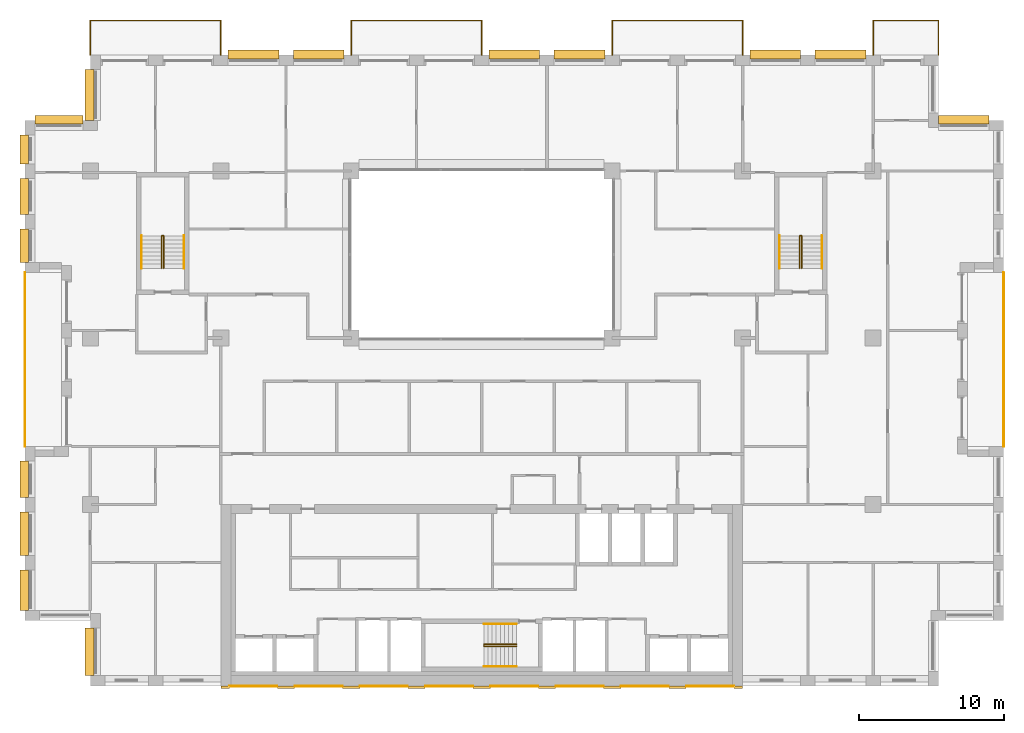
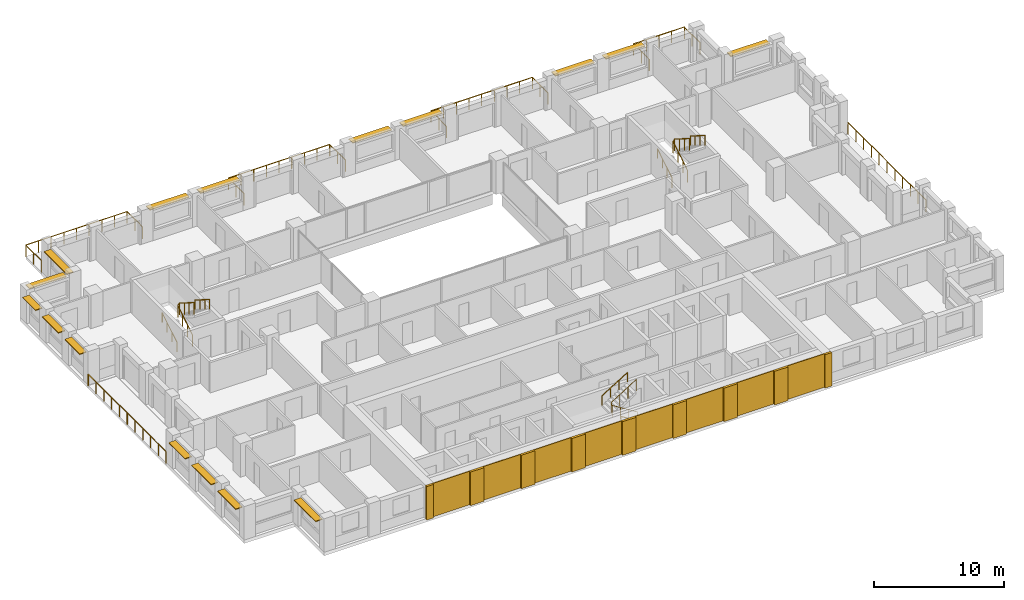
# One storey, part 15 of 15: 17 coverings, 16 shading devices, 15 railings.
"""IFC4 building model written with IfcOpenShell, lengths in metres."""

import ifcopenshell
import ifcopenshell.guid

model = None  # the IFC model being written
_history = None  # IfcOwnerHistory: only IFC2X3 demands one
_inside = {}  # id of a spatial element -> (the spatial element, [elements in it])
_under = {}  # id of a project, library or spatial element -> (it, [spatial elements below it])
_declared = {}  # id of a project -> (the project, [libraries it declares])
_typed = {}  # id of a type object -> (the type object, [elements of that type])
_made_of = {}  # id of a material, layer set ... -> (it, [elements and type objects made of it])


def new_model(schema):
    """Start an empty IFC model of exactly this schema.

    Asked for "IFC4X3", IfcOpenShell would pick the latest addendum, in which some entities
    have other attributes; the version numbers below select the first issue.
    IFC2X3 requires an IfcOwnerHistory on every rooted entity: one is made here for all.
    """
    global model, _history
    if schema == "IFC4X3":
        model = ifcopenshell.file(schema_version=(4, 3, 0, 0))
    else:
        model = ifcopenshell.file(schema=schema)
    _inside.clear()
    _under.clear()
    _declared.clear()
    _typed.clear()
    _made_of.clear()
    _history = None
    if model.schema == "IFC2X3":
        org = make("IfcOrganization", Name="unknown")
        user = make(
            "IfcPersonAndOrganization",
            ThePerson=make("IfcPerson", FamilyName="unknown"),
            TheOrganization=org,
        )
        app = make(
            "IfcApplication",
            ApplicationDeveloper=org,
            Version="unknown",
            ApplicationFullName="unknown",
            ApplicationIdentifier="unknown",
        )
        _history = make(
            "IfcOwnerHistory",
            OwningUser=user,
            OwningApplication=app,
            ChangeAction="ADDED",
            CreationDate=0,
        )
    return model


def make(cls, **values):
    """One entity of the class cls with the attributes given. An attribute that is None is left unset."""
    return model.create_entity(
        cls, **{name: value for name, value in values.items() if value is not None}
    )


def rooted(cls, **values):
    """An entity with a GlobalId (a new one), such as an element, a storey or a relation."""
    return make(cls, GlobalId=ifcopenshell.guid.new(), OwnerHistory=_history, **values)


def si_unit(unit_type, name, prefix=None):
    """IfcSIUnit, for example si_unit("LENGTHUNIT", "METRE", prefix="MILLI")."""
    return make("IfcSIUnit", UnitType=unit_type, Prefix=prefix, Name=name)


def assignment(units):
    """IfcUnitAssignment: the units of a project."""
    return None if units is None else make("IfcUnitAssignment", Units=units)


def point(xyz):
    """IfcCartesianPoint."""
    return None if xyz is None else make("IfcCartesianPoint", Coordinates=xyz)


def direction(xyz):
    """IfcDirection."""
    return None if xyz is None else make("IfcDirection", DirectionRatios=xyz)


def frame(location, z_axis=None, x_axis=None):
    """IfcAxis2Placement3D, a coordinate frame: its origin and axes. An axis left out is left unset."""
    return make(
        "IfcAxis2Placement3D",
        Location=point(location),
        Axis=direction(z_axis),
        RefDirection=direction(x_axis),
    )


def frame_2d(location, x_axis=None):
    """IfcAxis2Placement2D, a coordinate frame in the plane: its origin and x axis."""
    return make(
        "IfcAxis2Placement2D", Location=point(location), RefDirection=direction(x_axis)
    )


def origin():
    """The frame at (0, 0, 0) with its axes left unset."""
    return frame((0.0, 0.0, 0.0))


def origin_2d():
    """The frame at (0, 0) in the plane with its x axis left unset."""
    return frame_2d((0.0, 0.0))


def place(relative_to, where):
    """IfcLocalPlacement: puts the frame where relative to a parent placement (None: the world)."""
    return make(
        "IfcLocalPlacement", PlacementRelTo=relative_to, RelativePlacement=where
    )


def context(
    kind, dimensions, precision=None, world=None, true_north=None, identifier=None
):
    """IfcGeometricRepresentationContext, for example the 3D "Model" context."""
    return make(
        "IfcGeometricRepresentationContext",
        ContextIdentifier=identifier,
        ContextType=kind,
        CoordinateSpaceDimension=dimensions,
        Precision=precision,
        WorldCoordinateSystem=world,
        TrueNorth=true_north,
    )


def subcontext(parent, identifier, kind, view, scale=None):
    """IfcGeometricRepresentationSubContext, for example "Body" below "Model"."""
    return make(
        "IfcGeometricRepresentationSubContext",
        ContextIdentifier=identifier,
        ContextType=kind,
        ParentContext=parent,
        TargetScale=scale,
        TargetView=view,
    )


def project(units=None, contexts=None):
    """IfcProject with its units and contexts."""
    return rooted(
        "IfcProject",
        Name="project",
        RepresentationContexts=contexts,
        UnitsInContext=assignment(units),
    )


def spatial(cls, under=None, at=None, **own):
    """A site, building, storey or space (cls), placed at a placement, below another one or the project."""
    s = rooted(cls, ObjectPlacement=at, **own)
    if under is not None:
        _under.setdefault(under.id(), (under, []))[1].append(s)
    return s


def profile(cls, at=None, kind="AREA", **sizes):
    """A parametric profile (cls). Its sizes go by their IFC names, for example OverallWidth=200.0."""
    return make(cls, ProfileType=kind, Position=at, **sizes)


def rectangle(**sizes):
    """IfcRectangleProfileDef."""
    return profile("IfcRectangleProfileDef", **sizes)


def circle(**sizes):
    """IfcCircleProfileDef."""
    return profile("IfcCircleProfileDef", **sizes)


def extrude(swept, where, along, depth):
    """IfcExtrudedAreaSolid: the profile swept, set in the frame where, extruded along a direction by depth."""
    return make(
        "IfcExtrudedAreaSolid",
        SweptArea=swept,
        Position=where,
        ExtrudedDirection=direction(along),
        Depth=depth,
    )


def shape(context_of_items, identifier, shape_type, items):
    """IfcShapeRepresentation: the items that make up one representation, for example the "Body"."""
    return make(
        "IfcShapeRepresentation",
        ContextOfItems=context_of_items,
        RepresentationIdentifier=identifier,
        RepresentationType=shape_type,
        Items=items,
    )


def material(Name=None, Category=None):
    """IfcMaterial."""
    return make("IfcMaterial", Name=Name, Category=Category)


def layer(
    of_material, thickness, ventilated=None, Name=None, Category=None, Priority=None
):
    """IfcMaterialLayer: one layer of a wall or slab, of a material (None: an air gap)."""
    return make(
        "IfcMaterialLayer",
        Material=of_material,
        LayerThickness=thickness,
        IsVentilated=ventilated,
        Name=Name,
        Category=Category,
        Priority=Priority,
    )


def layer_set(layers, Name=None):
    """IfcMaterialLayerSet."""
    return make("IfcMaterialLayerSet", MaterialLayers=layers, LayerSetName=Name)


def made_of(thing, what):
    """Note that an element or type object is made of a material, layer set ...; save() writes the relation."""
    if what is not None:
        _made_of.setdefault(what.id(), (what, []))[1].append(thing)
    return thing


def type_object(cls, material=None, **own):
    """A type object (cls), such as IfcWallType, which elements share."""
    return made_of(rooted(cls, **own), material)


def element(
    cls,
    number,
    at=None,
    inside=None,
    cuts=None,
    type_object=None,
    material=None,
    context=None,
    identifier="Body",
    shape_type=None,
    held_by="IfcProductDefinitionShape",
    body=None,
    shapes=None,
    **own,
):
    """One element of the class cls, such as IfcWall. Its Tag is "e" and its number.

    at: its placement. inside: the storey or other place that contains it. cuts: it is an
    opening in that element (IfcRelVoidsElement). A single representation is given by context,
    identifier, shape_type and body (its items); several are given by shapes. held_by: the class
    of the entity that holds the representations. save() writes the other relations.
    """
    e = rooted(cls, Tag="e%d" % number, ObjectPlacement=at, **own)
    if body is not None:
        shapes = [shape(context, identifier, shape_type, body)]
    if shapes is not None:
        e.Representation = make(held_by, Representations=shapes)
    if inside is not None:
        _inside.setdefault(inside.id(), (inside, []))[1].append(e)
    if cuts is not None:
        rooted(
            "IfcRelVoidsElement", RelatingBuildingElement=cuts, RelatedOpeningElement=e
        )
    if type_object is not None:
        _typed.setdefault(type_object.id(), (type_object, []))[1].append(e)
    return made_of(e, material)


def aggregate(whole, parts):
    """IfcRelAggregates: a whole, such as a stair, and the parts it consists of."""
    return rooted("IfcRelAggregates", RelatingObject=whole, RelatedObjects=parts)


def save(model, path):
    """Write the relations noted so far, then the file.

    IfcRelAggregates (storeys below a building ...), IfcRelContainedInSpatialStructure (elements
    in a storey), IfcRelDefinesByType, IfcRelAssociatesMaterial and IfcRelDeclares: one each for
    every whole, place, type object, material and project.
    """
    for whole, parts in _under.values():
        aggregate(whole, parts)
    for where, things in _inside.values():
        rooted(
            "IfcRelContainedInSpatialStructure",
            RelatedElements=things,
            RelatingStructure=where,
        )
    for kind, things in _typed.values():
        rooted("IfcRelDefinesByType", RelatedObjects=things, RelatingType=kind)
    for what, things in _made_of.values():
        rooted("IfcRelAssociatesMaterial", RelatedObjects=things, RelatingMaterial=what)
    for by, libraries in _declared.values():
        rooted("IfcRelDeclares", RelatingContext=by, RelatedDefinitions=libraries)
    model.write(path)


model = new_model("IFC4")

# Units and contexts
model_context = context("Model", 3, precision=1e-05, world=origin(), true_north=direction((0.0, 1.0)))
body_context = subcontext(model_context, "Body", "Model", "MODEL_VIEW")
ifc_project = project(units=[si_unit("LENGTHUNIT", "METRE"), si_unit("AREAUNIT", "SQUARE_METRE"), si_unit("VOLUMEUNIT", "CUBIC_METRE"), si_unit("PLANEANGLEUNIT", "RADIAN"), si_unit("MASSUNIT", "GRAM", prefix="KILO")], contexts=[model_context])

# Site, building, storey
site_placement = place(None, origin())
site = spatial("IfcSite", under=ifc_project, at=site_placement, CompositionType="ELEMENT")
building_placement = place(site_placement, origin())
building = spatial("IfcBuilding", under=site, at=building_placement, Name="Brigalow Station Residences", CompositionType="ELEMENT")
storey_placement = place(building_placement, frame((0.0, 0.0, 157.050048828125)))
storey = spatial("IfcBuildingStorey", under=building, at=storey_placement, Name="L45", CompositionType="ELEMENT", Elevation=157.050048828125)

# Railings
ifc_material_1 = material(Name="Stainless steel balustrade with laminated glass infill", Category="steel")
railing_type_1 = type_object("IfcRailingType", Name="BALCONY GUARD 1100", PredefinedType="GUARDRAIL", material=ifc_material_1)
railing_1_placement = place(storey_placement, frame((72.0, 16.5, -0.0400390625)))
element("IfcRailing", 1, at=railing_1_placement, inside=storey, type_object=railing_type_1, Name="L45/balcony-guard/1", PredefinedType="GUARDRAIL", context=body_context, shape_type="SweptSolid", body=[
    extrude(circle(Radius=0.02392578125, at=origin_2d()), frame((0.0, 0.0, 1.076171875), z_axis=(0.0, 1.0, 0.0), x_axis=(-1.0, 0.0, 0.0)), (0.0, 0.0, 1.0), 12.0),
    extrude(circle(Radius=0.02099609375, at=origin_2d()), origin(), (0.0, 0.0, 1.0), 1.052001953125),
    extrude(circle(Radius=0.02099609375, at=origin_2d()), frame((0.0, 1.199951171875, 0.0)), (0.0, 0.0, 1.0), 1.052001953125),
    extrude(circle(Radius=0.02099609375, at=origin_2d()), frame((0.0, 2.39990234375, 0.0)), (0.0, 0.0, 1.0), 1.052001953125),
    extrude(circle(Radius=0.02099609375, at=origin_2d()), frame((0.0, 3.60009765625, 0.0)), (0.0, 0.0, 1.0), 1.052001953125),
    extrude(circle(Radius=0.02099609375, at=origin_2d()), frame((0.0, 4.800048828125, 0.0)), (0.0, 0.0, 1.0), 1.052001953125),
    extrude(circle(Radius=0.02099609375, at=origin_2d()), frame((0.0, 6.0, 0.0)), (0.0, 0.0, 1.0), 1.052001953125),
    extrude(circle(Radius=0.02099609375, at=origin_2d()), frame((0.0, 7.199951171875, 0.0)), (0.0, 0.0, 1.0), 1.052001953125),
    extrude(circle(Radius=0.02099609375, at=origin_2d()), frame((0.0, 8.39990234375, 0.0)), (0.0, 0.0, 1.0), 1.052001953125),
    extrude(circle(Radius=0.02099609375, at=origin_2d()), frame((0.0, 9.60009765625, 0.0)), (0.0, 0.0, 1.0), 1.052001953125),
    extrude(circle(Radius=0.02099609375, at=origin_2d()), frame((0.0, 10.800048828125, 0.0)), (0.0, 0.0, 1.0), 1.052001953125),
    extrude(circle(Radius=0.02099609375, at=origin_2d()), frame((0.0, 12.0, 0.0)), (0.0, 0.0, 1.0), 1.052001953125),
])
railing_2_placement = place(storey_placement, frame((67.5, 43.5, -0.0400390625)))
element("IfcRailing", 2, at=railing_2_placement, inside=storey, type_object=railing_type_1, Name="L45/balcony-guard/2", PredefinedType="GUARDRAIL", context=body_context, shape_type="SweptSolid", body=[
    extrude(circle(Radius=0.02392578125, at=origin_2d()), frame((0.0, 0.0, 1.076171875), z_axis=(0.0, 1.0, 0.0), x_axis=(-1.0, 0.0, 0.0)), (0.0, 0.0, 1.0), 2.39990234375),
    extrude(circle(Radius=0.02392578125, at=origin_2d()), frame((0.0, 2.39990234375, 1.076171875), z_axis=(-1.0, 0.0, 0.0), x_axis=(0.0, -1.0, 0.0)), (0.0, 0.0, 1.0), 4.5),
    extrude(circle(Radius=0.02392578125, at=origin_2d()), frame((-4.5, 2.39990234375, 1.076171875), z_axis=(0.0, -1.0, 0.0), x_axis=(1.0, 0.0, 0.0)), (0.0, 0.0, 1.0), 2.39990234375),
    extrude(circle(Radius=0.02099609375, at=origin_2d()), origin(), (0.0, 0.0, 1.0), 1.052001953125),
    extrude(circle(Radius=0.02099609375, at=origin_2d()), frame((0.0, 1.199951171875, 0.0)), (0.0, 0.0, 1.0), 1.052001953125),
    extrude(circle(Radius=0.02099609375, at=origin_2d()), frame((0.0, 2.39990234375, 0.0)), (0.0, 0.0, 1.0), 1.052001953125),
    extrude(circle(Radius=0.02099609375, at=origin_2d()), frame((-1.125, 2.39990234375, 0.0)), (0.0, 0.0, 1.0), 1.052001953125),
    extrude(circle(Radius=0.02099609375, at=origin_2d()), frame((-2.25, 2.39990234375, 0.0)), (0.0, 0.0, 1.0), 1.052001953125),
    extrude(circle(Radius=0.02099609375, at=origin_2d()), frame((-3.375, 2.39990234375, 0.0)), (0.0, 0.0, 1.0), 1.052001953125),
    extrude(circle(Radius=0.02099609375, at=origin_2d()), frame((-4.5, 2.39990234375, 0.0)), (0.0, 0.0, 1.0), 1.052001953125),
    extrude(circle(Radius=0.02099609375, at=origin_2d()), frame((-4.5, 1.199951171875, 0.0)), (0.0, 0.0, 1.0), 1.052001953125),
    extrude(circle(Radius=0.02099609375, at=origin_2d()), frame((-4.5, 0.0, 0.0)), (0.0, 0.0, 1.0), 1.052001953125),
])
railing_3_placement = place(storey_placement, frame((54.0, 43.5, -0.0400390625)))
element("IfcRailing", 3, at=railing_3_placement, inside=storey, type_object=railing_type_1, Name="L45/balcony-guard/3", PredefinedType="GUARDRAIL", context=body_context, shape_type="SweptSolid", body=[
    extrude(circle(Radius=0.02392578125, at=origin_2d()), frame((0.0, 0.0, 1.076171875), z_axis=(0.0, 1.0, 0.0), x_axis=(-1.0, 0.0, 0.0)), (0.0, 0.0, 1.0), 2.39990234375),
    extrude(circle(Radius=0.02392578125, at=origin_2d()), frame((0.0, 2.39990234375, 1.076171875), z_axis=(-1.0, 0.0, 0.0), x_axis=(0.0, -1.0, 0.0)), (0.0, 0.0, 1.0), 9.0),
    extrude(circle(Radius=0.02392578125, at=origin_2d()), frame((-9.0, 2.39990234375, 1.076171875), z_axis=(0.0, -1.0, 0.0), x_axis=(1.0, 0.0, 0.0)), (0.0, 0.0, 1.0), 2.39990234375),
    extrude(circle(Radius=0.02099609375, at=origin_2d()), origin(), (0.0, 0.0, 1.0), 1.052001953125),
    extrude(circle(Radius=0.02099609375, at=origin_2d()), frame((0.0, 1.199951171875, 0.0)), (0.0, 0.0, 1.0), 1.052001953125),
    extrude(circle(Radius=0.02099609375, at=origin_2d()), frame((0.0, 2.39990234375, 0.0)), (0.0, 0.0, 1.0), 1.052001953125),
    extrude(circle(Radius=0.02099609375, at=origin_2d()), frame((-1.125, 2.39990234375, 0.0)), (0.0, 0.0, 1.0), 1.052001953125),
    extrude(circle(Radius=0.02099609375, at=origin_2d()), frame((-2.25, 2.39990234375, 0.0)), (0.0, 0.0, 1.0), 1.052001953125),
    extrude(circle(Radius=0.02099609375, at=origin_2d()), frame((-3.375, 2.39990234375, 0.0)), (0.0, 0.0, 1.0), 1.052001953125),
    extrude(circle(Radius=0.02099609375, at=origin_2d()), frame((-4.5, 2.39990234375, 0.0)), (0.0, 0.0, 1.0), 1.052001953125),
    extrude(circle(Radius=0.02099609375, at=origin_2d()), frame((-5.625, 2.39990234375, 0.0)), (0.0, 0.0, 1.0), 1.052001953125),
    extrude(circle(Radius=0.02099609375, at=origin_2d()), frame((-6.75, 2.39990234375, 0.0)), (0.0, 0.0, 1.0), 1.052001953125),
    extrude(circle(Radius=0.02099609375, at=origin_2d()), frame((-7.875, 2.39990234375, 0.0)), (0.0, 0.0, 1.0), 1.052001953125),
    extrude(circle(Radius=0.02099609375, at=origin_2d()), frame((-9.0, 2.39990234375, 0.0)), (0.0, 0.0, 1.0), 1.052001953125),
    extrude(circle(Radius=0.02099609375, at=origin_2d()), frame((-9.0, 1.199951171875, 0.0)), (0.0, 0.0, 1.0), 1.052001953125),
    extrude(circle(Radius=0.02099609375, at=origin_2d()), frame((-9.0, 0.0, 0.0)), (0.0, 0.0, 1.0), 1.052001953125),
])
railing_4_placement = place(storey_placement, frame((36.0, 43.5, -0.0400390625)))
element("IfcRailing", 4, at=railing_4_placement, inside=storey, type_object=railing_type_1, Name="L45/balcony-guard/4", PredefinedType="GUARDRAIL", context=body_context, shape_type="SweptSolid", body=[
    extrude(circle(Radius=0.02392578125, at=origin_2d()), frame((0.0, 0.0, 1.076171875), z_axis=(0.0, 1.0, 0.0), x_axis=(-1.0, 0.0, 0.0)), (0.0, 0.0, 1.0), 2.39990234375),
    extrude(circle(Radius=0.02392578125, at=origin_2d()), frame((0.0, 2.39990234375, 1.076171875), z_axis=(-1.0, 0.0, 0.0), x_axis=(0.0, -1.0, 0.0)), (0.0, 0.0, 1.0), 9.0),
    extrude(circle(Radius=0.02392578125, at=origin_2d()), frame((-9.0, 2.39990234375, 1.076171875), z_axis=(0.0, -1.0, 0.0), x_axis=(1.0, 0.0, 0.0)), (0.0, 0.0, 1.0), 2.39990234375),
    extrude(circle(Radius=0.02099609375, at=origin_2d()), origin(), (0.0, 0.0, 1.0), 1.052001953125),
    extrude(circle(Radius=0.02099609375, at=origin_2d()), frame((0.0, 1.199951171875, 0.0)), (0.0, 0.0, 1.0), 1.052001953125),
    extrude(circle(Radius=0.02099609375, at=origin_2d()), frame((0.0, 2.39990234375, 0.0)), (0.0, 0.0, 1.0), 1.052001953125),
    extrude(circle(Radius=0.02099609375, at=origin_2d()), frame((-1.125, 2.39990234375, 0.0)), (0.0, 0.0, 1.0), 1.052001953125),
    extrude(circle(Radius=0.02099609375, at=origin_2d()), frame((-2.25, 2.39990234375, 0.0)), (0.0, 0.0, 1.0), 1.052001953125),
    extrude(circle(Radius=0.02099609375, at=origin_2d()), frame((-3.375, 2.39990234375, 0.0)), (0.0, 0.0, 1.0), 1.052001953125),
    extrude(circle(Radius=0.02099609375, at=origin_2d()), frame((-4.5, 2.39990234375, 0.0)), (0.0, 0.0, 1.0), 1.052001953125),
    extrude(circle(Radius=0.02099609375, at=origin_2d()), frame((-5.625, 2.39990234375, 0.0)), (0.0, 0.0, 1.0), 1.052001953125),
    extrude(circle(Radius=0.02099609375, at=origin_2d()), frame((-6.75, 2.39990234375, 0.0)), (0.0, 0.0, 1.0), 1.052001953125),
    extrude(circle(Radius=0.02099609375, at=origin_2d()), frame((-7.875, 2.39990234375, 0.0)), (0.0, 0.0, 1.0), 1.052001953125),
    extrude(circle(Radius=0.02099609375, at=origin_2d()), frame((-9.0, 2.39990234375, 0.0)), (0.0, 0.0, 1.0), 1.052001953125),
    extrude(circle(Radius=0.02099609375, at=origin_2d()), frame((-9.0, 1.199951171875, 0.0)), (0.0, 0.0, 1.0), 1.052001953125),
    extrude(circle(Radius=0.02099609375, at=origin_2d()), frame((-9.0, 0.0, 0.0)), (0.0, 0.0, 1.0), 1.052001953125),
])
railing_5_placement = place(storey_placement, frame((18.0, 43.5, -0.0400390625)))
element("IfcRailing", 5, at=railing_5_placement, inside=storey, type_object=railing_type_1, Name="L45/balcony-guard/5", PredefinedType="GUARDRAIL", context=body_context, shape_type="SweptSolid", body=[
    extrude(circle(Radius=0.02392578125, at=origin_2d()), frame((0.0, 0.0, 1.076171875), z_axis=(0.0, 1.0, 0.0), x_axis=(-1.0, 0.0, 0.0)), (0.0, 0.0, 1.0), 2.39990234375),
    extrude(circle(Radius=0.02392578125, at=origin_2d()), frame((0.0, 2.39990234375, 1.076171875), z_axis=(-1.0, 0.0, 0.0), x_axis=(0.0, -1.0, 0.0)), (0.0, 0.0, 1.0), 9.0),
    extrude(circle(Radius=0.02392578125, at=origin_2d()), frame((-9.0, 2.39990234375, 1.076171875), z_axis=(0.0, -1.0, 0.0), x_axis=(1.0, 0.0, 0.0)), (0.0, 0.0, 1.0), 2.39990234375),
    extrude(circle(Radius=0.02099609375, at=origin_2d()), origin(), (0.0, 0.0, 1.0), 1.052001953125),
    extrude(circle(Radius=0.02099609375, at=origin_2d()), frame((0.0, 1.199951171875, 0.0)), (0.0, 0.0, 1.0), 1.052001953125),
    extrude(circle(Radius=0.02099609375, at=origin_2d()), frame((0.0, 2.39990234375, 0.0)), (0.0, 0.0, 1.0), 1.052001953125),
    extrude(circle(Radius=0.02099609375, at=origin_2d()), frame((-1.125, 2.39990234375, 0.0)), (0.0, 0.0, 1.0), 1.052001953125),
    extrude(circle(Radius=0.02099609375, at=origin_2d()), frame((-2.25, 2.39990234375, 0.0)), (0.0, 0.0, 1.0), 1.052001953125),
    extrude(circle(Radius=0.02099609375, at=origin_2d()), frame((-3.375, 2.39990234375, 0.0)), (0.0, 0.0, 1.0), 1.052001953125),
    extrude(circle(Radius=0.02099609375, at=origin_2d()), frame((-4.5, 2.39990234375, 0.0)), (0.0, 0.0, 1.0), 1.052001953125),
    extrude(circle(Radius=0.02099609375, at=origin_2d()), frame((-5.625, 2.39990234375, 0.0)), (0.0, 0.0, 1.0), 1.052001953125),
    extrude(circle(Radius=0.02099609375, at=origin_2d()), frame((-6.75, 2.39990234375, 0.0)), (0.0, 0.0, 1.0), 1.052001953125),
    extrude(circle(Radius=0.02099609375, at=origin_2d()), frame((-7.875, 2.39990234375, 0.0)), (0.0, 0.0, 1.0), 1.052001953125),
    extrude(circle(Radius=0.02099609375, at=origin_2d()), frame((-9.0, 2.39990234375, 0.0)), (0.0, 0.0, 1.0), 1.052001953125),
    extrude(circle(Radius=0.02099609375, at=origin_2d()), frame((-9.0, 1.199951171875, 0.0)), (0.0, 0.0, 1.0), 1.052001953125),
    extrude(circle(Radius=0.02099609375, at=origin_2d()), frame((-9.0, 0.0, 0.0)), (0.0, 0.0, 1.0), 1.052001953125),
])
railing_6_placement = place(storey_placement, frame((4.5, 28.5, -0.0400390625)))
element("IfcRailing", 6, at=railing_6_placement, inside=storey, type_object=railing_type_1, Name="L45/balcony-guard/6", PredefinedType="GUARDRAIL", context=body_context, shape_type="SweptSolid", body=[
    extrude(circle(Radius=0.02392578125, at=origin_2d()), frame((0.0, 0.0, 1.076171875), z_axis=(0.0, -1.0, 0.0), x_axis=(1.0, 0.0, 0.0)), (0.0, 0.0, 1.0), 12.0),
    extrude(circle(Radius=0.02099609375, at=origin_2d()), origin(), (0.0, 0.0, 1.0), 1.052001953125),
    extrude(circle(Radius=0.02099609375, at=origin_2d()), frame((0.0, -1.199951171875, 0.0)), (0.0, 0.0, 1.0), 1.052001953125),
    extrude(circle(Radius=0.02099609375, at=origin_2d()), frame((0.0, -2.39990234375, 0.0)), (0.0, 0.0, 1.0), 1.052001953125),
    extrude(circle(Radius=0.02099609375, at=origin_2d()), frame((0.0, -3.60009765625, 0.0)), (0.0, 0.0, 1.0), 1.052001953125),
    extrude(circle(Radius=0.02099609375, at=origin_2d()), frame((0.0, -4.800048828125, 0.0)), (0.0, 0.0, 1.0), 1.052001953125),
    extrude(circle(Radius=0.02099609375, at=origin_2d()), frame((0.0, -6.0, 0.0)), (0.0, 0.0, 1.0), 1.052001953125),
    extrude(circle(Radius=0.02099609375, at=origin_2d()), frame((0.0, -7.199951171875, 0.0)), (0.0, 0.0, 1.0), 1.052001953125),
    extrude(circle(Radius=0.02099609375, at=origin_2d()), frame((0.0, -8.39990234375, 0.0)), (0.0, 0.0, 1.0), 1.052001953125),
    extrude(circle(Radius=0.02099609375, at=origin_2d()), frame((0.0, -9.60009765625, 0.0)), (0.0, 0.0, 1.0), 1.052001953125),
    extrude(circle(Radius=0.02099609375, at=origin_2d()), frame((0.0, -10.800048828125, 0.0)), (0.0, 0.0, 1.0), 1.052001953125),
    extrude(circle(Radius=0.02099609375, at=origin_2d()), frame((0.0, -12.0, 0.0)), (0.0, 0.0, 1.0), 1.052001953125),
])

# Coverings
ifc_material_2 = material(Name="Clay brick masonry", Category="masonry")
ifc_layer_1 = layer(ifc_material_2, 0.06005859375)
ifc_layer_set_1 = layer_set([ifc_layer_1], Name="BRICK PANEL FACING 60")
covering_type_1 = type_object("IfcCoveringType", Name="BRICK PANEL FACING 60", PredefinedType="CLADDING", material=ifc_layer_set_1)
for number, where, z_axis, x_axis, name in (
    (7, (20.25, -0.030029296875, 0.0), (0.0, 0.0, 1.0), (1.0, 0.0, 0.0), "L45/rear-facing/panel-1"),
    (8, (24.75, -0.030029296875, 0.0), (0.0, 0.0, 1.0), (1.0, 0.0, 0.0), "L45/rear-facing/panel-2"),
    (9, (29.25, -0.030029296875, 0.0), (0.0, 0.0, 1.0), (1.0, 0.0, 0.0), "L45/rear-facing/panel-3"),
    (10, (33.75, -0.030029296875, 0.0), (0.0, 0.0, 1.0), (1.0, 0.0, 0.0), "L45/rear-facing/panel-4"),
    (11, (38.25, -0.030029296875, 0.0), (0.0, 0.0, 1.0), (1.0, 0.0, 0.0), "L45/rear-facing/panel-5"),
    (12, (42.75, -0.030029296875, 0.0), (0.0, 0.0, 1.0), (1.0, 0.0, 0.0), "L45/rear-facing/panel-6"),
    (13, (47.25, -0.030029296875, 0.0), (0.0, 0.0, 1.0), (1.0, 0.0, 0.0), "L45/rear-facing/panel-7"),
    (14, (51.75, -0.030029296875, 0.0), (0.0, 0.0, 1.0), (1.0, 0.0, 0.0), "L45/rear-facing/panel-8"),
):
    element("IfcCovering", number, at=place(storey_placement, frame(where, z_axis=z_axis, x_axis=x_axis)), inside=storey, type_object=covering_type_1, Name=name, PredefinedType="CLADDING", context=body_context, shape_type="SweptSolid", body=[
        extrude(rectangle(XDim=3.300048828125, YDim=0.06005859375, at=origin_2d()), origin(), (0.0, 0.0, 1.0), 3.14990234375),
    ])
ifc_material_3 = material(Name="Clay brick masonry", Category="masonry")
ifc_layer_2 = layer(ifc_material_3, 0.199951171875)
ifc_layer_set_2 = layer_set([ifc_layer_2], Name="BRICK PIER FACING 200")
covering_type_2 = type_object("IfcCoveringType", Name="BRICK PIER FACING 200", PredefinedType="CLADDING", material=ifc_layer_set_2)
covering_1_placement = place(storey_placement, frame((18.300048828125, -0.10009765625, 0.0), z_axis=(0.0, 0.0, 1.0), x_axis=(1.0, 0.0, 0.0)))
element("IfcCovering", 15, at=covering_1_placement, inside=storey, type_object=covering_type_2, Name="L45/rear-facing/pier-1", PredefinedType="CLADDING", context=body_context, shape_type="SweptSolid", body=[
    extrude(rectangle(XDim=0.60009765625, YDim=0.199951171875, at=origin_2d()), origin(), (0.0, 0.0, 1.0), 3.14990234375),
])
for number, where, z_axis, x_axis, name in (
    (16, (22.5, -0.10009765625, 0.0), (0.0, 0.0, 1.0), (1.0, 0.0, 0.0), "L45/rear-facing/pier-2"),
    (17, (27.0, -0.10009765625, 0.0), (0.0, 0.0, 1.0), (1.0, 0.0, 0.0), "L45/rear-facing/pier-3"),
    (18, (31.5, -0.10009765625, 0.0), (0.0, 0.0, 1.0), (1.0, 0.0, 0.0), "L45/rear-facing/pier-4"),
    (19, (36.0, -0.10009765625, 0.0), (0.0, 0.0, 1.0), (1.0, 0.0, 0.0), "L45/rear-facing/pier-5"),
    (20, (40.5, -0.10009765625, 0.0), (0.0, 0.0, 1.0), (1.0, 0.0, 0.0), "L45/rear-facing/pier-6"),
    (21, (45.0, -0.10009765625, 0.0), (0.0, 0.0, 1.0), (1.0, 0.0, 0.0), "L45/rear-facing/pier-7"),
    (22, (49.5, -0.10009765625, 0.0), (0.0, 0.0, 1.0), (1.0, 0.0, 0.0), "L45/rear-facing/pier-8"),
):
    element("IfcCovering", number, at=place(storey_placement, frame(where, z_axis=z_axis, x_axis=x_axis)), inside=storey, type_object=covering_type_2, Name=name, PredefinedType="CLADDING", context=body_context, shape_type="SweptSolid", body=[
        extrude(rectangle(XDim=1.199951171875, YDim=0.199951171875, at=origin_2d()), origin(), (0.0, 0.0, 1.0), 3.14990234375),
    ])
covering_2_placement = place(storey_placement, frame((53.699951171875, -0.10009765625, 0.0), z_axis=(0.0, 0.0, 1.0), x_axis=(1.0, 0.0, 0.0)))
element("IfcCovering", 23, at=covering_2_placement, inside=storey, type_object=covering_type_2, Name="L45/rear-facing/pier-9", PredefinedType="CLADDING", context=body_context, shape_type="SweptSolid", body=[
    extrude(rectangle(XDim=0.60009765625, YDim=0.199951171875, at=origin_2d()), origin(), (0.0, 0.0, 1.0), 3.14990234375),
])

# Railings
ifc_material_4 = material(Name="Stainless steel balustrade", Category="steel")
railing_type_2 = type_object("IfcRailingType", Name="STAIR GUARD 1100", PredefinedType="GUARDRAIL", material=ifc_material_4)
railing_7_placement = place(storey_placement, frame((38.39990234375, 2.72998046875, 0.175048828125)))
element("IfcRailing", 24, at=railing_7_placement, inside=storey, type_object=railing_type_2, Name="GUARD GR-2", PredefinedType="GUARDRAIL", context=body_context, shape_type="SweptSolid", body=[
    extrude(circle(Radius=0.02392578125, at=origin_2d()), frame((0.0, 0.0, 1.076171875), z_axis=(-0.848013881152, 0.0, 0.529974015752), x_axis=(0.0, -1.0, 0.0)), (0.0, 0.0, 1.0), 2.641357421875),
    extrude(circle(Radius=0.02392578125, at=origin_2d()), frame((-2.239990234375, 0.0, 2.47607421875), z_axis=(0.0, 0.624960567888, 0.780656319122), x_axis=(-1.0, 0.0, 0.0)), (0.0, 0.0, 1.0), 0.22412109375),
    extrude(circle(Radius=0.02392578125, at=origin_2d()), frame((-2.239990234375, 0.14013671875, 2.65087890625), z_axis=(0.848013881152, 0.0, 0.529974015752), x_axis=(0.0, 1.0, 0.0)), (0.0, 0.0, 1.0), 2.641357421875),
    extrude(circle(Radius=0.02099609375, at=origin_2d()), origin(), (0.0, 0.0, 1.0), 1.052001953125),
    extrude(circle(Radius=0.02099609375, at=origin_2d()), frame((-0.74658203125, 0.0, 0.466552734375)), (0.0, 0.0, 1.0), 1.052001953125),
    extrude(circle(Radius=0.02099609375, at=origin_2d()), frame((-1.493408203125, 0.0, 0.933349609375)), (0.0, 0.0, 1.0), 1.052001953125),
    extrude(circle(Radius=0.02099609375, at=origin_2d()), frame((-2.239990234375, 0.0, 1.39990234375)), (0.0, 0.0, 1.0), 1.052001953125),
    extrude(circle(Radius=0.02099609375, at=origin_2d()), frame((-2.239990234375, 0.14013671875, 1.574951171875)), (0.0, 0.0, 1.0), 1.052001953125),
    extrude(circle(Radius=0.02099609375, at=origin_2d()), frame((-1.493408203125, 0.14013671875, 2.04150390625)), (0.0, 0.0, 1.0), 1.052001953125),
    extrude(circle(Radius=0.02099609375, at=origin_2d()), frame((-0.74658203125, 0.14013671875, 2.50830078125)), (0.0, 0.0, 1.0), 1.052001953125),
    extrude(circle(Radius=0.02099609375, at=origin_2d()), frame((0.0, 0.14013671875, 2.974853515625)), (0.0, 0.0, 1.0), 1.052001953125),
])
for number, where, name in (
    (25, (13.929931640625, 28.800048828125, 0.175048828125), "GUARD GR-1"),
    (26, (57.929931640625, 28.800048828125, 0.175048828125), "GUARD GR-3"),
):
    element("IfcRailing", number, at=place(storey_placement, frame(where)), inside=storey, type_object=railing_type_2, Name=name, PredefinedType="GUARDRAIL", context=body_context, shape_type="SweptSolid", body=[
        extrude(circle(Radius=0.02392578125, at=origin_2d()), frame((0.0, 0.0, 1.076171875), z_axis=(0.0, 0.848013881152, 0.529974015752), x_axis=(-1.0, 0.0, 0.0)), (0.0, 0.0, 1.0), 2.641357421875),
        extrude(circle(Radius=0.02392578125, at=origin_2d()), frame((0.0, 2.239990234375, 2.47607421875), z_axis=(0.624960567888, 0.0, 0.780656319122), x_axis=(0.0, 1.0, 0.0)), (0.0, 0.0, 1.0), 0.22412109375),
        extrude(circle(Radius=0.02392578125, at=origin_2d()), frame((0.14013671875, 2.239990234375, 2.65087890625), z_axis=(0.0, -0.848013881152, 0.529974015752), x_axis=(1.0, 0.0, 0.0)), (0.0, 0.0, 1.0), 2.641357421875),
        extrude(circle(Radius=0.02099609375, at=origin_2d()), origin(), (0.0, 0.0, 1.0), 1.052001953125),
        extrude(circle(Radius=0.02099609375, at=origin_2d()), frame((0.0, 0.74658203125, 0.466552734375)), (0.0, 0.0, 1.0), 1.052001953125),
        extrude(circle(Radius=0.02099609375, at=origin_2d()), frame((0.0, 1.493408203125, 0.933349609375)), (0.0, 0.0, 1.0), 1.052001953125),
        extrude(circle(Radius=0.02099609375, at=origin_2d()), frame((0.0, 2.239990234375, 1.39990234375)), (0.0, 0.0, 1.0), 1.052001953125),
        extrude(circle(Radius=0.02099609375, at=origin_2d()), frame((0.14013671875, 2.239990234375, 1.574951171875)), (0.0, 0.0, 1.0), 1.052001953125),
        extrude(circle(Radius=0.02099609375, at=origin_2d()), frame((0.14013671875, 1.493408203125, 2.04150390625)), (0.0, 0.0, 1.0), 1.052001953125),
        extrude(circle(Radius=0.02099609375, at=origin_2d()), frame((0.14013671875, 0.74658203125, 2.50830078125)), (0.0, 0.0, 1.0), 1.052001953125),
        extrude(circle(Radius=0.02099609375, at=origin_2d()), frame((0.14013671875, 0.0, 2.974853515625)), (0.0, 0.0, 1.0), 1.052001953125),
    ])
ifc_material_5 = material(Name="Stainless steel handrail", Category="steel")
railing_type_3 = type_object("IfcRailingType", Name="STAIR HANDRAIL 900", PredefinedType="HANDRAIL", material=ifc_material_5)
railing_8_placement = place(storey_placement, frame((38.39990234375, 1.340087890625, 0.175048828125)))
element("IfcRailing", 27, at=railing_8_placement, inside=storey, type_object=railing_type_3, Name="HANDRAIL HR-21", PredefinedType="HANDRAIL", context=body_context, shape_type="SweptSolid", body=[
    extrude(circle(Radius=0.02392578125, at=origin_2d()), frame((0.0, 0.0, 0.8759765625), z_axis=(-0.848013881152, 0.0, 0.529974015752), x_axis=(0.0, -1.0, 0.0)), (0.0, 0.0, 1.0), 2.641357421875),
    extrude(circle(Radius=0.02099609375, at=origin_2d()), origin(), (0.0, 0.0, 1.0), 0.851806640625),
    extrude(circle(Radius=0.02099609375, at=origin_2d()), frame((-0.74658203125, 0.0, 0.466552734375)), (0.0, 0.0, 1.0), 0.851806640625),
    extrude(circle(Radius=0.02099609375, at=origin_2d()), frame((-1.493408203125, 0.0, 0.933349609375)), (0.0, 0.0, 1.0), 0.851806640625),
    extrude(circle(Radius=0.02099609375, at=origin_2d()), frame((-2.239990234375, 0.0, 1.39990234375)), (0.0, 0.0, 1.0), 0.851806640625),
])
railing_9_placement = place(storey_placement, frame((36.159912109375, 4.260009765625, 1.75)))
element("IfcRailing", 28, at=railing_9_placement, inside=storey, type_object=railing_type_3, Name="HANDRAIL HR-22", PredefinedType="HANDRAIL", context=body_context, shape_type="SweptSolid", body=[
    extrude(circle(Radius=0.02392578125, at=origin_2d()), frame((0.0, 0.0, 0.8759765625), z_axis=(0.848013881152, 0.0, 0.529974015752), x_axis=(0.0, 1.0, 0.0)), (0.0, 0.0, 1.0), 2.641357421875),
    extrude(circle(Radius=0.02099609375, at=origin_2d()), origin(), (0.0, 0.0, 1.0), 0.851806640625),
    extrude(circle(Radius=0.02099609375, at=origin_2d()), frame((0.74658203125, 0.0, 0.466552734375)), (0.0, 0.0, 1.0), 0.851806640625),
    extrude(circle(Radius=0.02099609375, at=origin_2d()), frame((1.493408203125, 0.0, 0.933349609375)), (0.0, 0.0, 1.0), 0.851806640625),
    extrude(circle(Radius=0.02099609375, at=origin_2d()), frame((2.239990234375, 0.0, 1.39990234375)), (0.0, 0.0, 1.0), 0.851806640625),
])
railing_10_placement = place(storey_placement, frame((12.5400390625, 28.800048828125, 0.175048828125)))
element("IfcRailing", 29, at=railing_10_placement, inside=storey, type_object=railing_type_3, Name="HANDRAIL HR-11", PredefinedType="HANDRAIL", context=body_context, shape_type="SweptSolid", body=[
    extrude(circle(Radius=0.02392578125, at=origin_2d()), frame((0.0, 0.0, 0.8759765625), z_axis=(0.0, 0.848013881152, 0.529974015752), x_axis=(-1.0, 0.0, 0.0)), (0.0, 0.0, 1.0), 2.641357421875),
    extrude(circle(Radius=0.02099609375, at=origin_2d()), origin(), (0.0, 0.0, 1.0), 0.851806640625),
    extrude(circle(Radius=0.02099609375, at=origin_2d()), frame((0.0, 0.74658203125, 0.466552734375)), (0.0, 0.0, 1.0), 0.851806640625),
    extrude(circle(Radius=0.02099609375, at=origin_2d()), frame((0.0, 1.493408203125, 0.933349609375)), (0.0, 0.0, 1.0), 0.851806640625),
    extrude(circle(Radius=0.02099609375, at=origin_2d()), frame((0.0, 2.239990234375, 1.39990234375)), (0.0, 0.0, 1.0), 0.851806640625),
])
railing_11_placement = place(storey_placement, frame((15.4599609375, 31.0400390625, 1.75)))
element("IfcRailing", 30, at=railing_11_placement, inside=storey, type_object=railing_type_3, Name="HANDRAIL HR-12", PredefinedType="HANDRAIL", context=body_context, shape_type="SweptSolid", body=[
    extrude(circle(Radius=0.02392578125, at=origin_2d()), frame((0.0, 0.0, 0.8759765625), z_axis=(0.0, -0.848013881152, 0.529974015752), x_axis=(1.0, 0.0, 0.0)), (0.0, 0.0, 1.0), 2.641357421875),
    extrude(circle(Radius=0.02099609375, at=origin_2d()), origin(), (0.0, 0.0, 1.0), 0.851806640625),
    extrude(circle(Radius=0.02099609375, at=origin_2d()), frame((0.0, -0.74658203125, 0.466552734375)), (0.0, 0.0, 1.0), 0.851806640625),
    extrude(circle(Radius=0.02099609375, at=origin_2d()), frame((0.0, -1.493408203125, 0.933349609375)), (0.0, 0.0, 1.0), 0.851806640625),
    extrude(circle(Radius=0.02099609375, at=origin_2d()), frame((0.0, -2.239990234375, 1.39990234375)), (0.0, 0.0, 1.0), 0.851806640625),
])
railing_12_placement = place(storey_placement, frame((56.5400390625, 28.800048828125, 0.175048828125)))
element("IfcRailing", 31, at=railing_12_placement, inside=storey, type_object=railing_type_3, Name="HANDRAIL HR-31", PredefinedType="HANDRAIL", context=body_context, shape_type="SweptSolid", body=[
    extrude(circle(Radius=0.02392578125, at=origin_2d()), frame((0.0, 0.0, 0.8759765625), z_axis=(0.0, 0.848013881152, 0.529974015752), x_axis=(-1.0, 0.0, 0.0)), (0.0, 0.0, 1.0), 2.641357421875),
    extrude(circle(Radius=0.02099609375, at=origin_2d()), origin(), (0.0, 0.0, 1.0), 0.851806640625),
    extrude(circle(Radius=0.02099609375, at=origin_2d()), frame((0.0, 0.74658203125, 0.466552734375)), (0.0, 0.0, 1.0), 0.851806640625),
    extrude(circle(Radius=0.02099609375, at=origin_2d()), frame((0.0, 1.493408203125, 0.933349609375)), (0.0, 0.0, 1.0), 0.851806640625),
    extrude(circle(Radius=0.02099609375, at=origin_2d()), frame((0.0, 2.239990234375, 1.39990234375)), (0.0, 0.0, 1.0), 0.851806640625),
])
railing_13_placement = place(storey_placement, frame((59.4599609375, 31.0400390625, 1.75)))
element("IfcRailing", 32, at=railing_13_placement, inside=storey, type_object=railing_type_3, Name="HANDRAIL HR-32", PredefinedType="HANDRAIL", context=body_context, shape_type="SweptSolid", body=[
    extrude(circle(Radius=0.02392578125, at=origin_2d()), frame((0.0, 0.0, 0.8759765625), z_axis=(0.0, -0.848013881152, 0.529974015752), x_axis=(1.0, 0.0, 0.0)), (0.0, 0.0, 1.0), 2.641357421875),
    extrude(circle(Radius=0.02099609375, at=origin_2d()), origin(), (0.0, 0.0, 1.0), 0.851806640625),
    extrude(circle(Radius=0.02099609375, at=origin_2d()), frame((0.0, -0.74658203125, 0.466552734375)), (0.0, 0.0, 1.0), 0.851806640625),
    extrude(circle(Radius=0.02099609375, at=origin_2d()), frame((0.0, -1.493408203125, 0.933349609375)), (0.0, 0.0, 1.0), 0.851806640625),
    extrude(circle(Radius=0.02099609375, at=origin_2d()), frame((0.0, -2.239990234375, 1.39990234375)), (0.0, 0.0, 1.0), 0.851806640625),
])

# Shading devices
ifc_material_6 = material(Name="Powder-coated extruded aluminium blade", Category="aluminium")
ifc_layer_3 = layer(ifc_material_6, 0.080078125)
ifc_layer_set_3 = layer_set([ifc_layer_3], Name="SUNSHADE BLADE 600x80")
shading_device_type = type_object("IfcShadingDeviceType", Name="SUNSHADE BLADE 600x80", PredefinedType="JALOUSIE", material=ifc_layer_set_3)
for number, where, z_axis, x_axis, name in (
    (33, (69.25, 39.050048828125, 2.5498046875), (0.0, 0.0, 1.0), (-1.0, 0.0, 0.0), "L45/blade/W-L45-20"),
    (34, (60.75, 43.550048828125, 2.5498046875), (0.0, 0.0, 1.0), (-1.0, 0.0, 0.0), "L45/blade/W-L45-23"),
    (35, (56.25, 43.550048828125, 2.5498046875), (0.0, 0.0, 1.0), (-1.0, 0.0, 0.0), "L45/blade/W-L45-24"),
    (36, (42.75, 43.550048828125, 2.5498046875), (0.0, 0.0, 1.0), (-1.0, 0.0, 0.0), "L45/blade/W-L45-27"),
    (37, (38.25, 43.550048828125, 2.5498046875), (0.0, 0.0, 1.0), (-1.0, 0.0, 0.0), "L45/blade/W-L45-28"),
    (38, (24.75, 43.550048828125, 2.5498046875), (0.0, 0.0, 1.0), (-1.0, 0.0, 0.0), "L45/blade/W-L45-31"),
    (39, (20.25, 43.550048828125, 2.5498046875), (0.0, 0.0, 1.0), (-1.0, 0.0, 0.0), "L45/blade/W-L45-32"),
    (40, (8.949951171875, 40.75, 2.5498046875), (0.0, 0.0, 1.0), (0.0, -1.0, 0.0), "L45/blade/W-L45-35"),
):
    element("IfcShadingDevice", number, at=place(storey_placement, frame(where, z_axis=z_axis, x_axis=x_axis)), inside=storey, type_object=shading_device_type, Name=name, PredefinedType="JALOUSIE", context=body_context, shape_type="SweptSolid", body=[
        extrude(rectangle(XDim=3.5, YDim=0.60009765625, at=origin_2d()), origin(), (0.0, 0.0, 1.0), 0.080078125),
    ])
shading_device_1_placement = place(storey_placement, frame((6.85009765625, 39.050048828125, 2.5498046875), z_axis=(0.0, 0.0, 1.0), x_axis=(-1.0, 0.0, 0.0)))
element("IfcShadingDevice", 41, at=shading_device_1_placement, inside=storey, type_object=shading_device_type, Name="L45/blade/W-L45-36", PredefinedType="JALOUSIE", context=body_context, shape_type="SweptSolid", body=[
    extrude(rectangle(XDim=3.300048828125, YDim=0.60009765625, at=origin_2d()), origin(), (0.0, 0.0, 1.0), 0.080078125),
])
shading_device_2_placement = place(storey_placement, frame((4.449951171875, 37.0, 2.5498046875), z_axis=(0.0, 0.0, 1.0), x_axis=(0.0, -1.0, 0.0)))
element("IfcShadingDevice", 42, at=shading_device_2_placement, inside=storey, type_object=shading_device_type, Name="L45/blade/W-L45-37", PredefinedType="JALOUSIE", context=body_context, shape_type="SweptSolid", body=[
    extrude(rectangle(XDim=2.0, YDim=0.60009765625, at=origin_2d()), origin(), (0.0, 0.0, 1.0), 0.080078125),
])
shading_device_3_placement = place(storey_placement, frame((4.449951171875, 33.75, 2.5498046875), z_axis=(0.0, 0.0, 1.0), x_axis=(0.0, -1.0, 0.0)))
element("IfcShadingDevice", 43, at=shading_device_3_placement, inside=storey, type_object=shading_device_type, Name="L45/blade/W-L45-38", PredefinedType="JALOUSIE", context=body_context, shape_type="SweptSolid", body=[
    extrude(rectangle(XDim=2.5, YDim=0.60009765625, at=origin_2d()), origin(), (0.0, 0.0, 1.0), 0.080078125),
])
shading_device_4_placement = place(storey_placement, frame((4.449951171875, 30.35009765625, 2.5498046875), z_axis=(0.0, 0.0, 1.0), x_axis=(0.0, -1.0, 0.0)))
element("IfcShadingDevice", 44, at=shading_device_4_placement, inside=storey, type_object=shading_device_type, Name="L45/blade/W-L45-39", PredefinedType="JALOUSIE", context=body_context, shape_type="SweptSolid", body=[
    extrude(rectangle(XDim=2.300048828125, YDim=0.60009765625, at=origin_2d()), origin(), (0.0, 0.0, 1.0), 0.080078125),
])
shading_device_5_placement = place(storey_placement, frame((4.449951171875, 14.25, 2.5498046875), z_axis=(0.0, 0.0, 1.0), x_axis=(0.0, -1.0, 0.0)))
element("IfcShadingDevice", 45, at=shading_device_5_placement, inside=storey, type_object=shading_device_type, Name="L45/blade/W-L45-45", PredefinedType="JALOUSIE", context=body_context, shape_type="SweptSolid", body=[
    extrude(rectangle(XDim=2.5, YDim=0.60009765625, at=origin_2d()), origin(), (0.0, 0.0, 1.0), 0.080078125),
])
shading_device_6_placement = place(storey_placement, frame((4.449951171875, 10.5, 2.5498046875), z_axis=(0.0, 0.0, 1.0), x_axis=(0.0, -1.0, 0.0)))
element("IfcShadingDevice", 46, at=shading_device_6_placement, inside=storey, type_object=shading_device_type, Name="L45/blade/W-L45-46", PredefinedType="JALOUSIE", context=body_context, shape_type="SweptSolid", body=[
    extrude(rectangle(XDim=3.0, YDim=0.60009765625, at=origin_2d()), origin(), (0.0, 0.0, 1.0), 0.080078125),
])
shading_device_7_placement = place(storey_placement, frame((4.449951171875, 6.60009765625, 2.5498046875), z_axis=(0.0, 0.0, 1.0), x_axis=(0.0, -1.0, 0.0)))
element("IfcShadingDevice", 47, at=shading_device_7_placement, inside=storey, type_object=shading_device_type, Name="L45/blade/W-L45-47", PredefinedType="JALOUSIE", context=body_context, shape_type="SweptSolid", body=[
    extrude(rectangle(XDim=2.800048828125, YDim=0.60009765625, at=origin_2d()), origin(), (0.0, 0.0, 1.0), 0.080078125),
])
shading_device_8_placement = place(storey_placement, frame((8.949951171875, 2.35009765625, 2.5498046875), z_axis=(0.0, 0.0, 1.0), x_axis=(0.0, -1.0, 0.0)))
element("IfcShadingDevice", 48, at=shading_device_8_placement, inside=storey, type_object=shading_device_type, Name="L45/blade/W-L45-49", PredefinedType="JALOUSIE", context=body_context, shape_type="SweptSolid", body=[
    extrude(rectangle(XDim=3.300048828125, YDim=0.60009765625, at=origin_2d()), origin(), (0.0, 0.0, 1.0), 0.080078125),
])

save(model, "model.ifc")
